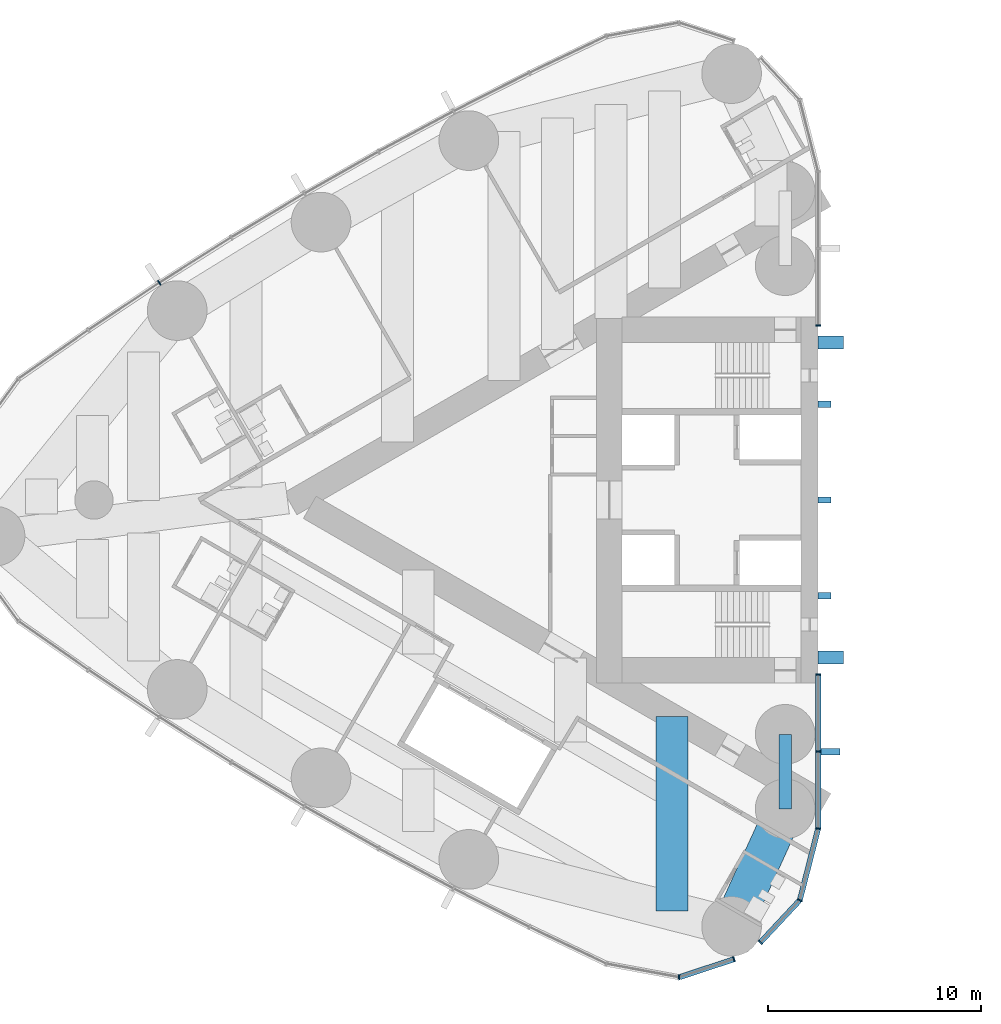
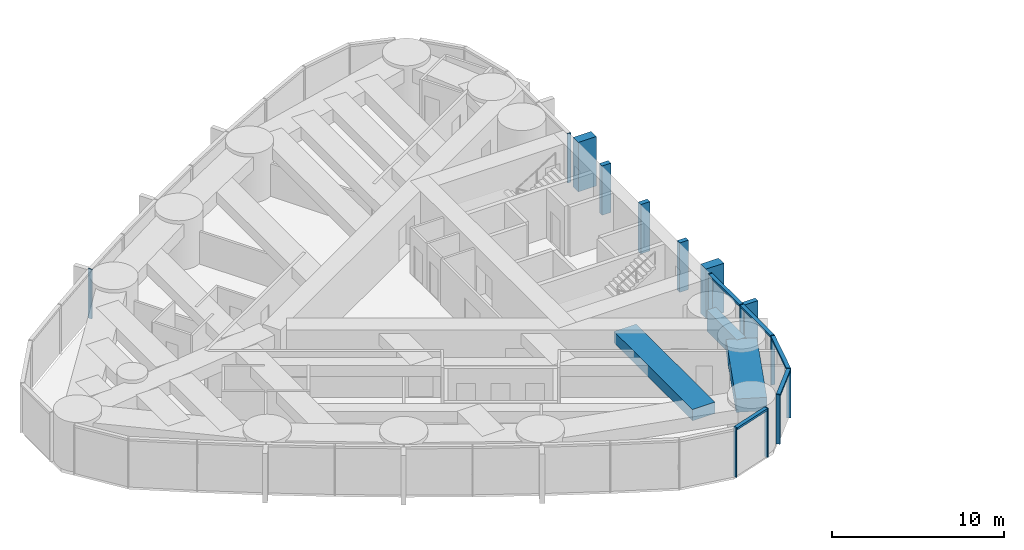
# One storey, part 4 of 18: 20 members, 3 beams, 4 elements without a shape of their own.
"""IFC4 building model written with IfcOpenShell, lengths in metres."""

import ifcopenshell
import ifcopenshell.guid

model = None  # the IFC model being written
_history = None  # IfcOwnerHistory: only IFC2X3 demands one
_inside = {}  # id of a spatial element -> (the spatial element, [elements in it])
_under = {}  # id of a project, library or spatial element -> (it, [spatial elements below it])
_declared = {}  # id of a project -> (the project, [libraries it declares])
_typed = {}  # id of a type object -> (the type object, [elements of that type])
_made_of = {}  # id of a material, layer set ... -> (it, [elements and type objects made of it])


def new_model(schema):
    """Start an empty IFC model of exactly this schema.

    Asked for "IFC4X3", IfcOpenShell would pick the latest addendum, in which some entities
    have other attributes; the version numbers below select the first issue.
    IFC2X3 requires an IfcOwnerHistory on every rooted entity: one is made here for all.
    """
    global model, _history
    if schema == "IFC4X3":
        model = ifcopenshell.file(schema_version=(4, 3, 0, 0))
    else:
        model = ifcopenshell.file(schema=schema)
    _inside.clear()
    _under.clear()
    _declared.clear()
    _typed.clear()
    _made_of.clear()
    _history = None
    if model.schema == "IFC2X3":
        org = make("IfcOrganization", Name="unknown")
        user = make(
            "IfcPersonAndOrganization",
            ThePerson=make("IfcPerson", FamilyName="unknown"),
            TheOrganization=org,
        )
        app = make(
            "IfcApplication",
            ApplicationDeveloper=org,
            Version="unknown",
            ApplicationFullName="unknown",
            ApplicationIdentifier="unknown",
        )
        _history = make(
            "IfcOwnerHistory",
            OwningUser=user,
            OwningApplication=app,
            ChangeAction="ADDED",
            CreationDate=0,
        )
    return model


def make(cls, **values):
    """One entity of the class cls with the attributes given. An attribute that is None is left unset."""
    return model.create_entity(
        cls, **{name: value for name, value in values.items() if value is not None}
    )


def rooted(cls, **values):
    """An entity with a GlobalId (a new one), such as an element, a storey or a relation."""
    return make(cls, GlobalId=ifcopenshell.guid.new(), OwnerHistory=_history, **values)


def si_unit(unit_type, name, prefix=None):
    """IfcSIUnit, for example si_unit("LENGTHUNIT", "METRE", prefix="MILLI")."""
    return make("IfcSIUnit", UnitType=unit_type, Prefix=prefix, Name=name)


def assignment(units):
    """IfcUnitAssignment: the units of a project."""
    return None if units is None else make("IfcUnitAssignment", Units=units)


def point(xyz):
    """IfcCartesianPoint."""
    return None if xyz is None else make("IfcCartesianPoint", Coordinates=xyz)


def direction(xyz):
    """IfcDirection."""
    return None if xyz is None else make("IfcDirection", DirectionRatios=xyz)


def frame(location, z_axis=None, x_axis=None):
    """IfcAxis2Placement3D, a coordinate frame: its origin and axes. An axis left out is left unset."""
    return make(
        "IfcAxis2Placement3D",
        Location=point(location),
        Axis=direction(z_axis),
        RefDirection=direction(x_axis),
    )


def frame_2d(location, x_axis=None):
    """IfcAxis2Placement2D, a coordinate frame in the plane: its origin and x axis."""
    return make(
        "IfcAxis2Placement2D", Location=point(location), RefDirection=direction(x_axis)
    )


def origin():
    """The frame at (0, 0, 0) with its axes left unset."""
    return frame((0.0, 0.0, 0.0))


def origin_2d():
    """The frame at (0, 0) in the plane with its x axis left unset."""
    return frame_2d((0.0, 0.0))


def place(relative_to, where):
    """IfcLocalPlacement: puts the frame where relative to a parent placement (None: the world)."""
    return make(
        "IfcLocalPlacement", PlacementRelTo=relative_to, RelativePlacement=where
    )


def context(
    kind, dimensions, precision=None, world=None, true_north=None, identifier=None
):
    """IfcGeometricRepresentationContext, for example the 3D "Model" context."""
    return make(
        "IfcGeometricRepresentationContext",
        ContextIdentifier=identifier,
        ContextType=kind,
        CoordinateSpaceDimension=dimensions,
        Precision=precision,
        WorldCoordinateSystem=world,
        TrueNorth=true_north,
    )


def subcontext(parent, identifier, kind, view, scale=None):
    """IfcGeometricRepresentationSubContext, for example "Body" below "Model"."""
    return make(
        "IfcGeometricRepresentationSubContext",
        ContextIdentifier=identifier,
        ContextType=kind,
        ParentContext=parent,
        TargetScale=scale,
        TargetView=view,
    )


def project(units=None, contexts=None):
    """IfcProject with its units and contexts."""
    return rooted(
        "IfcProject",
        Name="project",
        RepresentationContexts=contexts,
        UnitsInContext=assignment(units),
    )


def spatial(cls, under=None, at=None, **own):
    """A site, building, storey or space (cls), placed at a placement, below another one or the project."""
    s = rooted(cls, ObjectPlacement=at, **own)
    if under is not None:
        _under.setdefault(under.id(), (under, []))[1].append(s)
    return s


def profile(cls, at=None, kind="AREA", **sizes):
    """A parametric profile (cls). Its sizes go by their IFC names, for example OverallWidth=200.0."""
    return make(cls, ProfileType=kind, Position=at, **sizes)


def rectangle(**sizes):
    """IfcRectangleProfileDef."""
    return profile("IfcRectangleProfileDef", **sizes)


def hollow_rectangle(**sizes):
    """IfcRectangleHollowProfileDef."""
    return profile("IfcRectangleHollowProfileDef", **sizes)


def extrude(swept, where, along, depth):
    """IfcExtrudedAreaSolid: the profile swept, set in the frame where, extruded along a direction by depth."""
    return make(
        "IfcExtrudedAreaSolid",
        SweptArea=swept,
        Position=where,
        ExtrudedDirection=direction(along),
        Depth=depth,
    )


def shape(context_of_items, identifier, shape_type, items):
    """IfcShapeRepresentation: the items that make up one representation, for example the "Body"."""
    return make(
        "IfcShapeRepresentation",
        ContextOfItems=context_of_items,
        RepresentationIdentifier=identifier,
        RepresentationType=shape_type,
        Items=items,
    )


def material(Name=None, Category=None):
    """IfcMaterial."""
    return make("IfcMaterial", Name=Name, Category=Category)


def material_profile(
    of_material, cross_section, Name=None, Category=None, Priority=None
):
    """IfcMaterialProfile: a cross section and its material."""
    return make(
        "IfcMaterialProfile",
        Name=Name,
        Material=of_material,
        Profile=cross_section,
        Priority=Priority,
        Category=Category,
    )


def profile_set(profiles, Name=None, composite=None):
    """IfcMaterialProfileSet."""
    return make(
        "IfcMaterialProfileSet",
        Name=Name,
        MaterialProfiles=profiles,
        CompositeProfile=composite,
    )


def made_of(thing, what):
    """Note that an element or type object is made of a material, layer set ...; save() writes the relation."""
    if what is not None:
        _made_of.setdefault(what.id(), (what, []))[1].append(thing)
    return thing


def type_object(cls, material=None, **own):
    """A type object (cls), such as IfcWallType, which elements share."""
    return made_of(rooted(cls, **own), material)


def element(
    cls,
    number,
    at=None,
    inside=None,
    cuts=None,
    type_object=None,
    material=None,
    context=None,
    identifier="Body",
    shape_type=None,
    held_by="IfcProductDefinitionShape",
    body=None,
    shapes=None,
    **own,
):
    """One element of the class cls, such as IfcWall. Its Tag is "e" and its number.

    at: its placement. inside: the storey or other place that contains it. cuts: it is an
    opening in that element (IfcRelVoidsElement). A single representation is given by context,
    identifier, shape_type and body (its items); several are given by shapes. held_by: the class
    of the entity that holds the representations. save() writes the other relations.
    """
    e = rooted(cls, Tag="e%d" % number, ObjectPlacement=at, **own)
    if body is not None:
        shapes = [shape(context, identifier, shape_type, body)]
    if shapes is not None:
        e.Representation = make(held_by, Representations=shapes)
    if inside is not None:
        _inside.setdefault(inside.id(), (inside, []))[1].append(e)
    if cuts is not None:
        rooted(
            "IfcRelVoidsElement", RelatingBuildingElement=cuts, RelatedOpeningElement=e
        )
    if type_object is not None:
        _typed.setdefault(type_object.id(), (type_object, []))[1].append(e)
    return made_of(e, material)


def aggregate(whole, parts):
    """IfcRelAggregates: a whole, such as a stair, and the parts it consists of."""
    return rooted("IfcRelAggregates", RelatingObject=whole, RelatedObjects=parts)


def save(model, path):
    """Write the relations noted so far, then the file.

    IfcRelAggregates (storeys below a building ...), IfcRelContainedInSpatialStructure (elements
    in a storey), IfcRelDefinesByType, IfcRelAssociatesMaterial and IfcRelDeclares: one each for
    every whole, place, type object, material and project.
    """
    for whole, parts in _under.values():
        aggregate(whole, parts)
    for where, things in _inside.values():
        rooted(
            "IfcRelContainedInSpatialStructure",
            RelatedElements=things,
            RelatingStructure=where,
        )
    for kind, things in _typed.values():
        rooted("IfcRelDefinesByType", RelatedObjects=things, RelatingType=kind)
    for what, things in _made_of.values():
        rooted("IfcRelAssociatesMaterial", RelatedObjects=things, RelatingMaterial=what)
    for by, libraries in _declared.values():
        rooted("IfcRelDeclares", RelatingContext=by, RelatedDefinitions=libraries)
    model.write(path)


model = new_model("IFC4")

# Units and contexts
model_context = context("Model", 3, precision=1e-05, world=origin(), true_north=direction((0.0, 1.0)))
body_context = subcontext(model_context, "Body", "Model", "MODEL_VIEW")
ifc_project = project(units=[si_unit("LENGTHUNIT", "METRE"), si_unit("AREAUNIT", "SQUARE_METRE"), si_unit("VOLUMEUNIT", "CUBIC_METRE"), si_unit("PLANEANGLEUNIT", "RADIAN"), si_unit("MASSUNIT", "GRAM", prefix="KILO")], contexts=[model_context])

# Site, building, storey
site_placement = place(None, origin())
site = spatial("IfcSite", under=ifc_project, at=site_placement, CompositionType="ELEMENT")
building_placement = place(site_placement, origin())
building = spatial("IfcBuilding", under=site, at=building_placement, Name="Lancet Gate Hotel", CompositionType="ELEMENT")
storey_placement = place(building_placement, frame((0.0, 0.0, 166.800048828125)))
storey = spatial("IfcBuildingStorey", under=building, at=storey_placement, Name="L44", CompositionType="ELEMENT", Elevation=166.800048828125)

# Curtain wall, member
ifc_material_1 = material(Name="Aluminium curtain wall", Category="aluminium")
curtain_wall_type = type_object("IfcCurtainWallType", Name="Tower unitised curtain wall", PredefinedType="USERDEFINED", material=ifc_material_1)
curtain_wall_1_placement = place(storey_placement, origin())
curtain_wall_1 = element("IfcCurtainWall", 1, at=curtain_wall_1_placement, inside=storey, type_object=curtain_wall_type, Name="T1 L44 curtain wall 1", ObjectType="UNITISED CURTAIN WALL", PredefinedType="USERDEFINED")
ifc_material_2 = material(Name="Aluminium mullion", Category="aluminium")
ifc_material_profile_1 = material_profile(ifc_material_2, rectangle(XDim=0.06494140625, YDim=0.25, at=origin_2d()), Name="MULLION 65x250")
ifc_profile_set_1 = profile_set([ifc_material_profile_1], Name="Aluminium mullion")
member_type_1 = type_object("IfcMemberType", Name="Aluminium mullion 65x250", PredefinedType="MULLION", material=ifc_profile_set_1)
member_1_placement = place(storey_placement, frame((-27.5, 8.199951171875, 0.0), z_axis=(0.0, 0.0, 1.0), x_axis=(0.0, 1.0, 0.0)))
member_1 = element("IfcMember", 2, at=member_1_placement, type_object=member_type_1, Name="T1 L44 curtain wall 1 mullion 1", PredefinedType="MULLION", context=body_context, shape_type="SweptSolid", body=[
    extrude(rectangle(XDim=0.06494140625, YDim=0.25, at=origin_2d()), origin(), (0.0, 0.0, 1.0), 3.5),
])
aggregate(curtain_wall_1, [member_1])

curtain_wall_2_placement = place(storey_placement, origin())
curtain_wall_2 = element("IfcCurtainWall", 3, at=curtain_wall_2_placement, inside=storey, type_object=curtain_wall_type, Name="T1 L44 curtain wall 2", ObjectType="UNITISED CURTAIN WALL", PredefinedType="USERDEFINED")
member_2_placement = place(storey_placement, frame((-58.43212890625, 10.194091796875, 0.0), z_axis=(0.0, 0.0, 1.0), x_axis=(-0.839331119324, -0.54362052218, 0.0)))
member_2 = element("IfcMember", 4, at=member_2_placement, type_object=member_type_1, Name="T1 L44 curtain wall 2 mullion 9", PredefinedType="MULLION", context=body_context, shape_type="SweptSolid", body=[
    extrude(rectangle(XDim=0.06494140625, YDim=0.25, at=origin_2d()), origin(), (0.0, 0.0, 1.0), 3.5),
])
aggregate(curtain_wall_2, [member_2])

# Curtain wall, members
curtain_wall_3_placement = place(storey_placement, origin())
curtain_wall_3 = element("IfcCurtainWall", 5, at=curtain_wall_3_placement, inside=storey, type_object=curtain_wall_type, Name="T1 L44 curtain wall 3", ObjectType="UNITISED CURTAIN WALL", PredefinedType="USERDEFINED")
member_3_placement = place(storey_placement, frame((-34.02783203125, -22.407470703125, 0.0), z_axis=(0.0, 0.0, 1.0), x_axis=(0.999350473622, 0.036036521361, 0.0)))
member_3 = element("IfcMember", 6, at=member_3_placement, type_object=member_type_1, Name="T1 L44 curtain wall 3 mullion 11", PredefinedType="MULLION", context=body_context, shape_type="SweptSolid", body=[
    extrude(rectangle(XDim=0.06494140625, YDim=0.25, at=origin_2d()), origin(), (0.0, 0.0, 1.0), 3.5),
])
member_4_placement = place(storey_placement, frame((-31.45263671875, -21.5595703125, 0.0), z_axis=(0.0, 0.0, 1.0), x_axis=(0.949848055084, 0.312711803827, 0.0)))
member_4 = element("IfcMember", 7, at=member_4_placement, type_object=member_type_1, Name="T1 L44 curtain wall 3 mullion 12", PredefinedType="MULLION", context=body_context, shape_type="SweptSolid", body=[
    extrude(rectangle(XDim=0.06494140625, YDim=0.25, at=origin_2d()), origin(), (0.0, 0.0, 1.0), 3.5),
])

curtain_wall_4_placement = place(storey_placement, origin())
curtain_wall_4 = element("IfcCurtainWall", 8, at=curtain_wall_4_placement, inside=storey, type_object=curtain_wall_type, Name="T1 L44 curtain wall 4", ObjectType="UNITISED CURTAIN WALL", PredefinedType="USERDEFINED")
member_5_placement = place(storey_placement, frame((-30.210693359375, -20.765625, 0.0), z_axis=(0.0, 0.0, 1.0), x_axis=(0.682844962172, 0.730563315282, 0.0)))
member_5 = element("IfcMember", 9, at=member_5_placement, type_object=member_type_1, Name="T1 L44 curtain wall 4 mullion 1", PredefinedType="MULLION", context=body_context, shape_type="SweptSolid", body=[
    extrude(rectangle(XDim=0.06494140625, YDim=0.25, at=origin_2d()), origin(), (0.0, 0.0, 1.0), 3.5),
])
member_6_placement = place(storey_placement, frame((-28.360595703125, -18.7861328125, 0.0), z_axis=(0.0, 0.0, 1.0), x_axis=(0.452507601198, 0.891760545695, 0.0)))
member_6 = element("IfcMember", 10, at=member_6_placement, type_object=member_type_1, Name="T1 L44 curtain wall 4 mullion 2", PredefinedType="MULLION", context=body_context, shape_type="SweptSolid", body=[
    extrude(rectangle(XDim=0.06494140625, YDim=0.25, at=origin_2d()), origin(), (0.0, 0.0, 1.0), 3.5),
])
member_7_placement = place(storey_placement, frame((-27.5, -15.42333984375, 0.0), z_axis=(0.0, 0.0, 1.0), x_axis=(0.122467472845, 0.992472527627, 0.0)))
member_7 = element("IfcMember", 11, at=member_7_placement, type_object=member_type_1, Name="T1 L44 curtain wall 4 mullion 3", PredefinedType="MULLION", context=body_context, shape_type="SweptSolid", body=[
    extrude(rectangle(XDim=0.06494140625, YDim=0.25, at=origin_2d()), origin(), (0.0, 0.0, 1.0), 3.5),
])
member_8_placement = place(storey_placement, frame((-27.5, -11.811767578125, 0.0), z_axis=(0.0, 0.0, 1.0), x_axis=(0.0, 1.0, 0.0)))
member_8 = element("IfcMember", 12, at=member_8_placement, type_object=member_type_1, Name="T1 L44 curtain wall 4 mullion 4", PredefinedType="MULLION", context=body_context, shape_type="SweptSolid", body=[
    extrude(rectangle(XDim=0.06494140625, YDim=0.25, at=origin_2d()), origin(), (0.0, 0.0, 1.0), 3.5),
])
member_9_placement = place(storey_placement, frame((-27.5, -8.199951171875, 0.0), z_axis=(0.0, 0.0, 1.0), x_axis=(0.0, 1.0, 0.0)))
member_9 = element("IfcMember", 13, at=member_9_placement, type_object=member_type_1, Name="T1 L44 curtain wall 4 mullion 5", PredefinedType="MULLION", context=body_context, shape_type="SweptSolid", body=[
    extrude(rectangle(XDim=0.06494140625, YDim=0.25, at=origin_2d()), origin(), (0.0, 0.0, 1.0), 3.5),
])

# Member
ifc_material_3 = material(Name="Aluminium transom", Category="aluminium")
ifc_material_profile_2 = material_profile(ifc_material_3, rectangle(XDim=0.25, YDim=0.14990234375, at=origin_2d()), Name="TRANSOM 250x150")
ifc_profile_set_2 = profile_set([ifc_material_profile_2], Name="Aluminium transom")
member_type_2 = type_object("IfcMemberType", Name="Aluminium transom 250x150", PredefinedType="USERDEFINED", material=ifc_profile_set_2)
member_10_placement = place(storey_placement, frame((-33.9970703125, -22.397216796875, 3.425048828125), z_axis=(0.949857661259, 0.312682623993, 0.0), x_axis=(-0.312682623993, 0.949857661259, 0.0)))
member_10 = element("IfcMember", 14, at=member_10_placement, type_object=member_type_2, Name="T1 L44 curtain wall 3 transom 11", ObjectType="TRANSOM", PredefinedType="USERDEFINED", context=body_context, shape_type="SweptSolid", body=[
    extrude(rectangle(XDim=0.25, YDim=0.14990234375, at=origin_2d()), origin(), (0.0, 0.0, 1.0), 2.64599609375),
])

aggregate(curtain_wall_3, [member_3, member_4, member_10])

member_11_placement = place(storey_placement, frame((-30.188720703125, -20.741943359375, 3.425048828125), z_axis=(0.682841037959, 0.730566983157, 0.0), x_axis=(-0.730566983157, 0.682841037959, 0.0)))
member_11 = element("IfcMember", 15, at=member_11_placement, type_object=member_type_2, Name="T1 L44 curtain wall 4 transom 1", ObjectType="TRANSOM", PredefinedType="USERDEFINED", context=body_context, shape_type="SweptSolid", body=[
    extrude(rectangle(XDim=0.25, YDim=0.14990234375, at=origin_2d()), origin(), (0.0, 0.0, 1.0), 2.644775390625),
])

member_12_placement = place(storey_placement, frame((-28.3525390625, -18.754638671875, 3.425048828125), z_axis=(0.247928683912, 0.968778286139, 0.0), x_axis=(-0.968778286139, 0.247928683912, 0.0)))
member_12 = element("IfcMember", 16, at=member_12_placement, type_object=member_type_2, Name="T1 L44 curtain wall 4 transom 2", ObjectType="TRANSOM", PredefinedType="USERDEFINED", context=body_context, shape_type="SweptSolid", body=[
    extrude(rectangle(XDim=0.25, YDim=0.14990234375, at=origin_2d()), origin(), (0.0, 0.0, 1.0), 3.40625),
])

member_13_placement = place(storey_placement, frame((-27.5, -15.390869140625, 3.425048828125), z_axis=(0.0, 1.0, 0.0), x_axis=(-1.0, 0.0, 0.0)))
member_13 = element("IfcMember", 17, at=member_13_placement, type_object=member_type_2, Name="T1 L44 curtain wall 4 transom 3", ObjectType="TRANSOM", PredefinedType="USERDEFINED", context=body_context, shape_type="SweptSolid", body=[
    extrude(rectangle(XDim=0.25, YDim=0.14990234375, at=origin_2d()), origin(), (0.0, 0.0, 1.0), 3.546630859375),
])

member_14_placement = place(storey_placement, frame((-27.5, -11.779296875, 3.425048828125), z_axis=(0.0, 1.0, 0.0), x_axis=(-1.0, 0.0, 0.0)))
member_14 = element("IfcMember", 18, at=member_14_placement, type_object=member_type_2, Name="T1 L44 curtain wall 4 transom 4", ObjectType="TRANSOM", PredefinedType="USERDEFINED", context=body_context, shape_type="SweptSolid", body=[
    extrude(rectangle(XDim=0.25, YDim=0.14990234375, at=origin_2d()), origin(), (0.0, 0.0, 1.0), 3.546875),
])

# Beam
ifc_material_4 = material(Name="Concrete C50/60", Category="concrete")
ifc_material_profile_3 = material_profile(ifc_material_4, rectangle(XDim=1.800048828125, YDim=0.949951171875, at=origin_2d()), Name="RC 1800x950")
ifc_profile_set_3 = profile_set([ifc_material_profile_3], Name="Concrete C50/60")
beam_type_1 = type_object("IfcBeamType", Name="Edge beam RC 1800x950", PredefinedType="SPANDREL", material=ifc_profile_set_3)
beam_1_placement = place(storey_placement, frame((-29.050048828125, -14.5, 2.77490234375), z_axis=(-0.414919206993, -0.909858259109, 0.0), x_axis=(0.909858259109, -0.414919206993, 0.0)))
element("IfcBeam", 19, at=beam_1_placement, inside=storey, type_object=beam_type_1, Name="T1 edge beam EB1 L44", PredefinedType="SPANDREL", context=body_context, shape_type="SweptSolid", body=[
    extrude(rectangle(XDim=1.800048828125, YDim=0.949951171875, at=origin_2d()), origin(), (0.0, 0.0, 1.0), 6.062255859375),
])

# Members
ifc_material_5 = material(Name="Concrete C60/75", Category="concrete")
ifc_material_profile_4 = material_profile(ifc_material_5, rectangle(XDim=0.60009765625, YDim=1.199951171875, at=origin_2d()), Name="FIN 600x1200")
ifc_profile_set_4 = profile_set([ifc_material_profile_4], Name="Concrete C60/75")
member_type_3 = type_object("IfcMemberType", Name="Exposed concrete buttress pilaster 600x1200", PredefinedType="USERDEFINED", material=ifc_profile_set_4)
for number, where, z_axis, x_axis, name in (
    (20, (-26.909912109375, 7.39990234375, 0.0), (0.0, 0.0, 1.0), (0.0, 1.0, 0.0), "T1 buttress pilaster S L44"),
    (21, (-26.909912109375, -7.39990234375, 0.0), (0.0, 0.0, 1.0), (0.0, 1.0, 0.0), "T1 buttress pilaster N L44"),
):
    element("IfcMember", number, at=place(storey_placement, frame(where, z_axis=z_axis, x_axis=x_axis)), inside=storey, type_object=member_type_3, Name=name, ObjectType="FIN", PredefinedType="USERDEFINED", context=body_context, shape_type="SweptSolid", body=[
        extrude(rectangle(XDim=0.60009765625, YDim=1.199951171875, at=origin_2d()), origin(), (0.0, 0.0, 1.0), 3.5),
    ])

# Member
ifc_material_6 = material(Name="Precast concrete C50/60", Category="concrete")
ifc_material_profile_5 = material_profile(ifc_material_6, rectangle(XDim=0.300048828125, YDim=0.89990234375, at=origin_2d()), Name="FIN 300x900")
ifc_profile_set_5 = profile_set([ifc_material_profile_5], Name="Precast concrete C50/60")
member_type_4 = type_object("IfcMemberType", Name="Exposed concrete fin 300x900", PredefinedType="USERDEFINED", material=ifc_profile_set_5)
member_15_placement = place(storey_placement, frame((-26.925048828125, -11.811767578125, 0.0), z_axis=(0.0, 0.0, 1.0), x_axis=(0.0, 1.0, 0.0)))
member_15 = element("IfcMember", 22, at=member_15_placement, type_object=member_type_4, Name="T1 L44 curtain wall 4 fin 4", ObjectType="FIN", PredefinedType="USERDEFINED", context=body_context, shape_type="SweptSolid", body=[
    extrude(rectangle(XDim=0.300048828125, YDim=0.89990234375, at=origin_2d()), origin(), (0.0, 0.0, 1.0), 3.5),
])

aggregate(curtain_wall_4, [member_5, member_6, member_7, member_8, member_15, member_9, member_11, member_12, member_13, member_14])

# Members
ifc_material_7 = material(Name="Concrete C60/75", Category="concrete")
ifc_material_profile_6 = material_profile(ifc_material_7, rectangle(XDim=0.300048828125, YDim=0.60009765625, at=origin_2d()), Name="FIN 300x600")
ifc_profile_set_6 = profile_set([ifc_material_profile_6], Name="Concrete C60/75")
member_type_5 = type_object("IfcMemberType", Name="Exposed concrete rib 300x600", PredefinedType="USERDEFINED", material=ifc_profile_set_6)
for number, where, z_axis, x_axis, name in (
    (23, (-27.2099609375, 4.5, 0.0), (0.0, 0.0, 1.0), (0.0, 1.0, 0.0), "T1 core rib 1 L44"),
    (24, (-27.2099609375, 0.0, 0.0), (0.0, 0.0, 1.0), (0.0, 1.0, 0.0), "T1 core rib 2 L44"),
    (25, (-27.2099609375, -4.5, 0.0), (0.0, 0.0, 1.0), (0.0, 1.0, 0.0), "T1 core rib 3 L44"),
):
    element("IfcMember", number, at=place(storey_placement, frame(where, z_axis=z_axis, x_axis=x_axis)), inside=storey, type_object=member_type_5, Name=name, ObjectType="FIN", PredefinedType="USERDEFINED", context=body_context, shape_type="SweptSolid", body=[
        extrude(rectangle(XDim=0.300048828125, YDim=0.60009765625, at=origin_2d()), origin(), (0.0, 0.0, 1.0), 3.5),
    ])

# Beams
ifc_material_8 = material(Name="Concrete C50/60", Category="concrete")
ifc_material_profile_7 = material_profile(ifc_material_8, rectangle(XDim=1.5, YDim=0.800048828125, at=origin_2d()), Name="RC 1500x800")
ifc_profile_set_7 = profile_set([ifc_material_profile_7], Name="Concrete C50/60")
beam_type_2 = type_object("IfcBeamType", Name="Floor beam RC 1500x800", PredefinedType="BEAM", material=ifc_profile_set_7)
beam_2_placement = place(storey_placement, frame((-34.353515625, -10.169921875, 2.849853515625), z_axis=(0.0, -1.0, 0.0), x_axis=(1.0, 0.0, 0.0)))
element("IfcBeam", 26, at=beam_2_placement, inside=storey, type_object=beam_type_2, Name="T1 floor beam F02N L44", PredefinedType="BEAM", context=body_context, shape_type="SweptSolid", body=[
    extrude(rectangle(XDim=1.5, YDim=0.800048828125, at=origin_2d()), origin(), (0.0, 0.0, 1.0), 9.13525390625),
])
ifc_material_9 = material(Name="Steel S460QL", Category="steel")
ifc_material_profile_8 = material_profile(ifc_material_9, hollow_rectangle(XDim=0.60009765625, YDim=1.5, WallThickness=0.050048828125, at=origin_2d()), Name="BOX 1500x600x50")
ifc_profile_set_8 = profile_set([ifc_material_profile_8], Name="Steel S460QL")
beam_type_3 = type_object("IfcBeamType", Name="Inner-face link beam BOX 1500x600x50", PredefinedType="BEAM", material=ifc_profile_set_8)
beam_3_placement = place(storey_placement, frame((-29.050048828125, -11.0, 2.5), z_axis=(0.0, -1.0, 0.0), x_axis=(1.0, 0.0, 0.0)))
element("IfcBeam", 27, at=beam_3_placement, inside=storey, type_object=beam_type_3, Name="T1 inner-face link beam LK1 L44", PredefinedType="BEAM", context=body_context, shape_type="SweptSolid", body=[
    extrude(hollow_rectangle(XDim=0.60009765625, YDim=1.5, WallThickness=0.050048828125, at=origin_2d()), origin(), (0.0, 0.0, 1.0), 3.5),
])

save(model, "model.ifc")
